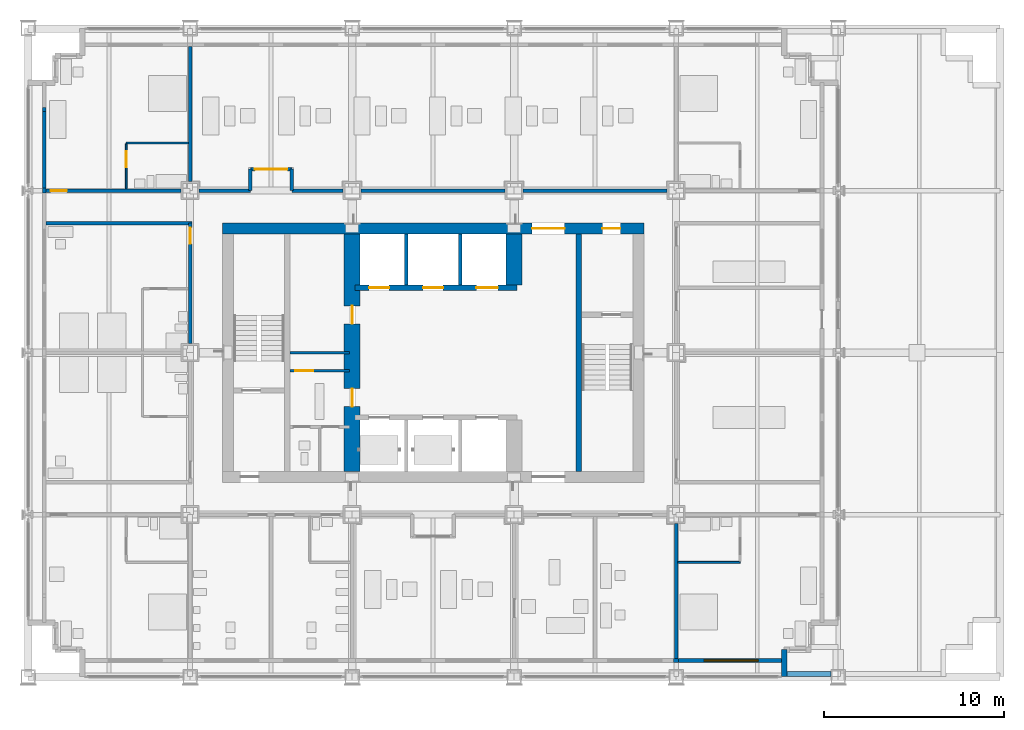
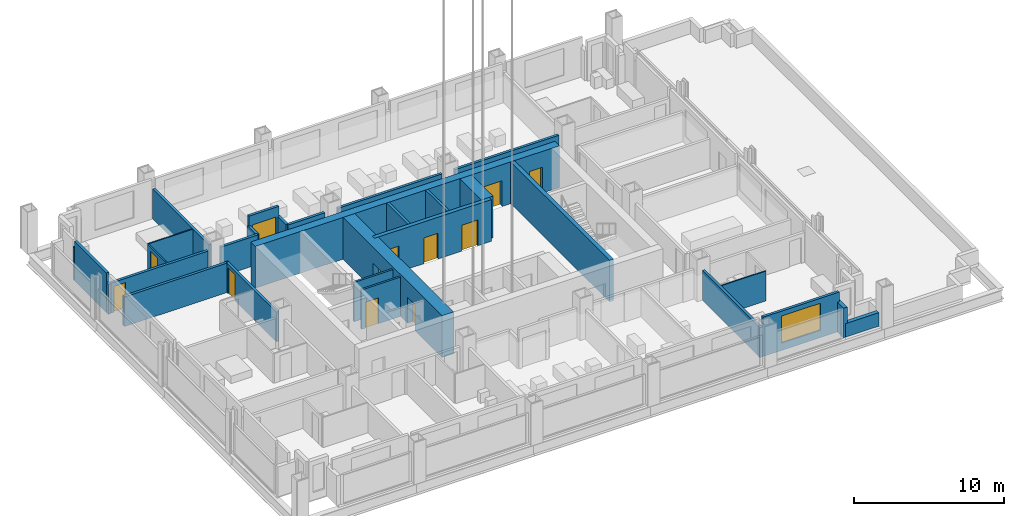
# One storey, part 12 of 19: 31 walls, 12 doors, 1 window, 13 openings.
"""IFC4 building model written with IfcOpenShell, lengths in metres."""

from ifc_helpers import new_model, si_unit, direction, frame, frame_2d, origin, place, context, subcontext, project, spatial, rectangle, extrude, material, layer, layer_set, type_object, element, fill, save


model = new_model("IFC4")

# Units and contexts
model_context = context("Model", 3, precision=1e-05, world=origin(), true_north=direction((0.0, 1.0)))
body_context = subcontext(model_context, "Body", "Model", "MODEL_VIEW")
ifc_project = project(units=[si_unit("LENGTHUNIT", "METRE"), si_unit("AREAUNIT", "SQUARE_METRE"), si_unit("VOLUMEUNIT", "CUBIC_METRE"), si_unit("PLANEANGLEUNIT", "RADIAN"), si_unit("MASSUNIT", "GRAM", prefix="KILO")], contexts=[model_context])

# Site, building, storey
site_placement = place(None, origin())
site = spatial("IfcSite", under=ifc_project, at=site_placement, CompositionType="ELEMENT")
building_placement = place(site_placement, origin())
building = spatial("IfcBuilding", under=site, at=building_placement, Name="Loomwork Tower", CompositionType="ELEMENT")
storey_placement = place(building_placement, frame((0.0, 0.0, 94.199951171875)))
storey = spatial("IfcBuildingStorey", under=building, at=storey_placement, Name="L24", CompositionType="ELEMENT", Elevation=94.199951171875)

# Wall, openings, doors
ifc_material_1 = material(Name="Concrete 14000 psi (97 MPa)", Category="concrete")
ifc_layer_1 = layer(ifc_material_1, 0.300048828125)
ifc_layer_set_1 = layer_set([ifc_layer_1], Name="Core shear wall 300")
wall_type_1 = type_object("IfcWallType", Name="Core shear wall 300", PredefinedType="SHEAR", material=ifc_layer_set_1)
wall_1_placement = place(storey_placement, frame((18.14990234375, 21.60009765625, 0.0), z_axis=(0.0, 0.0, 1.0), x_axis=(1.0, 0.0, 0.0)))
wall_1 = element("IfcWall", 1, at=wall_1_placement, inside=storey, type_object=wall_type_1, Name="Lift front wall north L24", PredefinedType="SHEAR", context=body_context, shape_type="SweptSolid", body=[
    extrude(rectangle(XDim=9.0, YDim=0.300048828125, at=frame_2d((4.5, 0.0))), origin(), (0.0, 0.0, 1.0), 3.400146484375),
])
opening_1_placement = place(wall_1_placement, frame((0.800048828125, 0.0, 0.0)))
opening_1 = element("IfcOpeningElement", 2, at=opening_1_placement, cuts=wall_1, Name="Opening LD1", PredefinedType="OPENING", context=body_context, shape_type="SweptSolid", body=[
    extrude(rectangle(XDim=1.10009765625, YDim=2.10009765625, at=frame_2d((0.550048828125, 1.050048828125))), frame((0.0, 0.159912109375, 0.0), z_axis=(0.0, -1.0, 0.0), x_axis=(1.0, 0.0, 0.0)), (0.0, 0.0, 1.0), 0.320068359375),
])
opening_2_placement = place(wall_1_placement, frame((3.800048828125, 0.0, 0.0)))
opening_2 = element("IfcOpeningElement", 3, at=opening_2_placement, cuts=wall_1, Name="Opening LD1", PredefinedType="OPENING", context=body_context, shape_type="SweptSolid", body=[
    extrude(rectangle(XDim=1.10009765625, YDim=2.10009765625, at=frame_2d((0.550048828125, 1.050048828125))), frame((0.0, 0.159912109375, 0.0), z_axis=(0.0, -1.0, 0.0), x_axis=(1.0, 0.0, 0.0)), (0.0, 0.0, 1.0), 0.320068359375),
])
opening_3_placement = place(wall_1_placement, frame((6.75, 0.0, 0.0)))
opening_3 = element("IfcOpeningElement", 4, at=opening_3_placement, cuts=wall_1, Name="Opening LD2", PredefinedType="OPENING", context=body_context, shape_type="SweptSolid", body=[
    extrude(rectangle(XDim=1.199951171875, YDim=2.10009765625, at=frame_2d((0.60009765625, 1.050048828125))), frame((0.0, 0.159912109375, 0.0), z_axis=(0.0, -1.0, 0.0), x_axis=(1.0, 0.0, 0.0)), (0.0, 0.0, 1.0), 0.320068359375),
])
ifc_material_2 = material(Name="Hollow metal door and frame")
door_type_1 = type_object("IfcDoorType", Name="Lift landing door 1100", OperationType="SLIDING_TO_LEFT", PredefinedType="DOOR", material=ifc_material_2)
door_1_placement = place(opening_1_placement, origin())
door_1 = element("IfcDoor", 5, at=door_1_placement, inside=storey, type_object=door_type_1, Name="Lift landing door LS1", OperationType="SLIDING_TO_LEFT", OverallHeight=2.10009765625, OverallWidth=1.10009765625, PredefinedType="DOOR", context=body_context, shape_type="SweptSolid", body=[
    extrude(rectangle(XDim=1.10009765625, YDim=2.10009765625, at=frame_2d((0.550048828125, 1.050048828125))), frame((0.0, 0.02490234375, 0.0), z_axis=(0.0, -1.0, 0.0), x_axis=(1.0, 0.0, 0.0)), (0.0, 0.0, 1.0), 0.050048828125),
])
fill(opening_1, door_1)
door_2_placement = place(opening_2_placement, origin())
door_2 = element("IfcDoor", 6, at=door_2_placement, inside=storey, type_object=door_type_1, Name="Lift landing door LS2", OperationType="SLIDING_TO_LEFT", OverallHeight=2.10009765625, OverallWidth=1.10009765625, PredefinedType="DOOR", context=body_context, shape_type="SweptSolid", body=[
    extrude(rectangle(XDim=1.10009765625, YDim=2.10009765625, at=frame_2d((0.550048828125, 1.050048828125))), frame((0.0, 0.02490234375, 0.0), z_axis=(0.0, -1.0, 0.0), x_axis=(1.0, 0.0, 0.0)), (0.0, 0.0, 1.0), 0.050048828125),
])
fill(opening_2, door_2)
ifc_material_3 = material(Name="Hollow metal door and frame")
door_type_2 = type_object("IfcDoorType", Name="Lift landing door 1200", OperationType="SLIDING_TO_LEFT", PredefinedType="DOOR", material=ifc_material_3)
door_3_placement = place(opening_3_placement, origin())
door_3 = element("IfcDoor", 7, at=door_3_placement, inside=storey, type_object=door_type_2, Name="Lift landing door LF2", OperationType="SLIDING_TO_LEFT", OverallHeight=2.10009765625, OverallWidth=1.199951171875, PredefinedType="DOOR", context=body_context, shape_type="SweptSolid", body=[
    extrude(rectangle(XDim=1.199951171875, YDim=2.10009765625, at=frame_2d((0.60009765625, 1.050048828125))), frame((0.0, 0.02490234375, 0.0), z_axis=(0.0, -1.0, 0.0), x_axis=(1.0, 0.0, 0.0)), (0.0, 0.0, 1.0), 0.050048828125),
])
fill(opening_3, door_3)

# Wall
wall_2_placement = place(storey_placement, frame((30.60009765625, 11.39990234375, 0.0), z_axis=(0.0, 0.0, 1.0), x_axis=(0.0, 1.0, 0.0)))
element("IfcWall", 8, at=wall_2_placement, inside=storey, type_object=wall_type_1, Name="Stair B west wall L24", PredefinedType="SHEAR", context=body_context, shape_type="SweptSolid", body=[
    extrude(rectangle(XDim=13.2001953125, YDim=0.300048828125, at=frame_2d((6.60009765625, 0.0))), origin(), (0.0, 0.0, 1.0), 3.400146484375),
])

# Wall, openings, doors
ifc_material_4 = material(Name="Concrete 14000 psi (97 MPa)", Category="concrete")
ifc_layer_2 = layer(ifc_material_4, 0.60009765625)
ifc_layer_set_2 = layer_set([ifc_layer_2], Name="Core shear wall 600")
wall_type_2 = type_object("IfcWallType", Name="Core shear wall 600", PredefinedType="SHEAR", material=ifc_layer_set_2)
wall_3_placement = place(storey_placement, frame((10.800048828125, 24.89990234375, 0.0), z_axis=(0.0, 0.0, 1.0), x_axis=(1.0, 0.0, 0.0)))
wall_3 = element("IfcWall", 9, at=wall_3_placement, inside=storey, type_object=wall_type_2, Name="Core wall north L24", PredefinedType="SHEAR", context=body_context, shape_type="SweptSolid", body=[
    extrude(rectangle(XDim=23.39990234375, YDim=0.60009765625, at=frame_2d((11.699951171875, 0.0))), origin(), (0.0, 0.0, 1.0), 3.400146484375),
])
opening_4_placement = place(wall_3_placement, frame((17.199951171875, 0.0, 0.0)))
opening_4 = element("IfcOpeningElement", 10, at=opening_4_placement, cuts=wall_3, Name="Opening D6", PredefinedType="OPENING", context=body_context, shape_type="SweptSolid", body=[
    extrude(rectangle(XDim=1.800048828125, YDim=2.10009765625, at=frame_2d((0.89990234375, 1.050048828125))), frame((0.0, 0.31005859375, 0.0), z_axis=(0.0, -1.0, 0.0), x_axis=(1.0, 0.0, 0.0)), (0.0, 0.0, 1.0), 0.6201171875),
])
opening_5_placement = place(wall_3_placement, frame((21.10009765625, 0.0, 0.0)))
opening_5 = element("IfcOpeningElement", 11, at=opening_5_placement, cuts=wall_3, Name="Opening D4", PredefinedType="OPENING", context=body_context, shape_type="SweptSolid", body=[
    extrude(rectangle(XDim=1.0, YDim=2.10009765625, at=frame_2d((0.5, 1.050048828125))), frame((0.0, 0.31005859375, 0.0), z_axis=(0.0, -1.0, 0.0), x_axis=(1.0, 0.0, 0.0)), (0.0, 0.0, 1.0), 0.6201171875),
])
ifc_material_5 = material(Name="Hollow metal door and frame")
door_type_3 = type_object("IfcDoorType", Name="Lobby passage double door 1800", OperationType="DOUBLE_DOOR_SINGLE_SWING", PredefinedType="DOOR", material=ifc_material_5)
door_4_placement = place(opening_4_placement, frame((1.800048828125, 0.0, 0.0), z_axis=(0.0, 0.0, 1.0), x_axis=(-1.0, 0.0, 0.0)))
door_4 = element("IfcDoor", 12, at=door_4_placement, inside=storey, type_object=door_type_3, Name="Lobby passage door north", OperationType="DOUBLE_DOOR_SINGLE_SWING", OverallHeight=2.10009765625, OverallWidth=1.800048828125, PredefinedType="DOOR", context=body_context, shape_type="SweptSolid", body=[
    extrude(rectangle(XDim=1.800048828125, YDim=2.10009765625, at=frame_2d((0.89990234375, 1.050048828125))), frame((0.0, 0.02490234375, 0.0), z_axis=(0.0, -1.0, 0.0), x_axis=(1.0, 0.0, 0.0)), (0.0, 0.0, 1.0), 0.050048828125),
])
fill(opening_4, door_4)
ifc_material_6 = material(Name="Hollow metal door and frame")
door_type_4 = type_object("IfcDoorType", Name="Stair door 1000", OperationType="SINGLE_SWING_RIGHT", PredefinedType="DOOR", material=ifc_material_6)
door_5_placement = place(opening_5_placement, frame((1.0, 0.0, 0.0), z_axis=(0.0, 0.0, 1.0), x_axis=(-1.0, 0.0, 0.0)))
door_5 = element("IfcDoor", 13, at=door_5_placement, inside=storey, type_object=door_type_4, Name="Stair B vestibule door", OperationType="SINGLE_SWING_LEFT", OverallHeight=2.10009765625, OverallWidth=1.0, PredefinedType="DOOR", context=body_context, shape_type="SweptSolid", body=[
    extrude(rectangle(XDim=1.0, YDim=2.10009765625, at=frame_2d((0.5, 1.050048828125))), frame((0.0, 0.02490234375, 0.0), z_axis=(0.0, -1.0, 0.0), x_axis=(1.0, 0.0, 0.0)), (0.0, 0.0, 1.0), 0.050048828125),
])
fill(opening_5, door_5)

ifc_material_7 = material(Name="Concrete 14000 psi (97 MPa)", Category="concrete")
ifc_layer_3 = layer(ifc_material_7, 0.89990234375)
ifc_layer_set_3 = layer_set([ifc_layer_3], Name="Core shear wall 900")
wall_type_3 = type_object("IfcWallType", Name="Core shear wall 900", PredefinedType="SHEAR", material=ifc_layer_set_3)
wall_4_placement = place(storey_placement, frame((18.0, 11.39990234375, 0.0), z_axis=(0.0, 0.0, 1.0), x_axis=(0.0, 1.0, 0.0)))
wall_4 = element("IfcWall", 14, at=wall_4_placement, inside=storey, type_object=wall_type_3, Name="Lobby west wall L24", PredefinedType="SHEAR", context=body_context, shape_type="SweptSolid", body=[
    extrude(rectangle(XDim=13.2001953125, YDim=0.89990234375, at=frame_2d((6.60009765625, 0.0))), origin(), (0.0, 0.0, 1.0), 3.400146484375),
])
opening_6_placement = place(wall_4_placement, frame((3.60009765625, 0.0, 0.0)))
opening_6 = element("IfcOpeningElement", 15, at=opening_6_placement, cuts=wall_4, Name="Opening D5", PredefinedType="OPENING", context=body_context, shape_type="SweptSolid", body=[
    extrude(rectangle(XDim=1.0, YDim=2.10009765625, at=frame_2d((0.5, 1.050048828125))), frame((0.0, 0.4599609375, 0.0), z_axis=(0.0, -1.0, 0.0), x_axis=(1.0, 0.0, 0.0)), (0.0, 0.0, 1.0), 0.919921875),
])
opening_7_placement = place(wall_4_placement, frame((8.199951171875, 0.0, 0.0)))
opening_7 = element("IfcOpeningElement", 16, at=opening_7_placement, cuts=wall_4, Name="Opening D5", PredefinedType="OPENING", context=body_context, shape_type="SweptSolid", body=[
    extrude(rectangle(XDim=1.0, YDim=2.10009765625, at=frame_2d((0.5, 1.050048828125))), frame((0.0, 0.4599609375, 0.0), z_axis=(0.0, -1.0, 0.0), x_axis=(1.0, 0.0, 0.0)), (0.0, 0.0, 1.0), 0.919921875),
])
ifc_material_8 = material(Name="Hollow metal door and frame")
door_type_5 = type_object("IfcDoorType", Name="Service door 1000", OperationType="SINGLE_SWING_LEFT", PredefinedType="DOOR", material=ifc_material_8)
door_6_placement = place(opening_6_placement, origin())
door_6 = element("IfcDoor", 17, at=door_6_placement, inside=storey, type_object=door_type_5, Name="Back-of-house door south", OperationType="SINGLE_SWING_LEFT", OverallHeight=2.10009765625, OverallWidth=1.0, PredefinedType="DOOR", context=body_context, shape_type="SweptSolid", body=[
    extrude(rectangle(XDim=1.0, YDim=2.10009765625, at=frame_2d((0.5, 1.050048828125))), frame((0.0, 0.02490234375, 0.0), z_axis=(0.0, -1.0, 0.0), x_axis=(1.0, 0.0, 0.0)), (0.0, 0.0, 1.0), 0.050048828125),
])
fill(opening_6, door_6)
door_7_placement = place(opening_7_placement, origin())
door_7 = element("IfcDoor", 18, at=door_7_placement, inside=storey, type_object=door_type_5, Name="Back-of-house door north", OperationType="SINGLE_SWING_RIGHT", OverallHeight=2.10009765625, OverallWidth=1.0, PredefinedType="DOOR", context=body_context, shape_type="SweptSolid", body=[
    extrude(rectangle(XDim=1.0, YDim=2.10009765625, at=frame_2d((0.5, 1.050048828125))), frame((0.0, 0.02490234375, 0.0), z_axis=(0.0, -1.0, 0.0), x_axis=(1.0, 0.0, 0.0)), (0.0, 0.0, 1.0), 0.050048828125),
])
fill(opening_7, door_7)

# Wall
wall_5_placement = place(storey_placement, frame((27.0, 21.75, 0.0), z_axis=(0.0, 0.0, 1.0), x_axis=(0.0, 1.0, 0.0)))
element("IfcWall", 19, at=wall_5_placement, inside=storey, type_object=wall_type_3, Name="Lift shaft end wall north L24", PredefinedType="SHEAR", context=body_context, shape_type="SweptSolid", body=[
    extrude(rectangle(XDim=2.85009765625, YDim=0.89990234375, at=frame_2d((1.425048828125, 0.0))), origin(), (0.0, 0.0, 1.0), 3.400146484375),
])

# Wall, opening, door
ifc_material_9 = material(Name="Gypsum board on steel studs, one-hour", Category="steel")
ifc_layer_4 = layer(ifc_material_9, 0.199951171875)
ifc_layer_set_4 = layer_set([ifc_layer_4], Name="Corridor wall 200")
wall_type_4 = type_object("IfcWallType", Name="Corridor wall 200", PredefinedType="PARTITIONING", material=ifc_layer_set_4)
wall_6_placement = place(storey_placement, frame((1.0, 27.0, 0.0), z_axis=(0.0, 0.0, 1.0), x_axis=(1.0, 0.0, 0.0)))
wall_6 = element("IfcWall", 20, at=wall_6_placement, inside=storey, type_object=wall_type_4, Name="North corridor wall 1", PredefinedType="PARTITIONING", context=body_context, shape_type="SweptSolid", body=[
    extrude(rectangle(XDim=7.5, YDim=0.199951171875, at=frame_2d((3.75, 0.0))), origin(), (0.0, 0.0, 1.0), 2.43798828125),
])
opening_8_placement = place(wall_6_placement, frame((0.25, 0.0, 0.0)))
opening_8 = element("IfcOpeningElement", 21, at=opening_8_placement, cuts=wall_6, Name="Opening D1", PredefinedType="OPENING", context=body_context, shape_type="SweptSolid", body=[
    extrude(rectangle(XDim=0.89990234375, YDim=2.10009765625, at=frame_2d((0.449951171875, 1.050048828125))), frame((0.0, 0.10986328125, 0.0), z_axis=(0.0, -1.0, 0.0), x_axis=(1.0, 0.0, 0.0)), (0.0, 0.0, 1.0), 0.219970703125),
])
ifc_material_10 = material(Name="Hollow metal door and frame")
door_type_6 = type_object("IfcDoorType", Name="Guest room entry door 900", OperationType="SINGLE_SWING_LEFT", PredefinedType="DOOR", material=ifc_material_10)
door_8_placement = place(opening_8_placement, origin())
door_8 = element("IfcDoor", 22, at=door_8_placement, inside=storey, type_object=door_type_6, Name="Guest room entry door L24 8", OperationType="SINGLE_SWING_LEFT", OverallHeight=2.10009765625, OverallWidth=0.89990234375, PredefinedType="DOOR", context=body_context, shape_type="SweptSolid", body=[
    extrude(rectangle(XDim=0.89990234375, YDim=2.10009765625, at=frame_2d((0.449951171875, 1.050048828125))), frame((0.0, 0.02490234375, 0.0), z_axis=(0.0, -1.0, 0.0), x_axis=(1.0, 0.0, 0.0)), (0.0, 0.0, 1.0), 0.050048828125),
])
fill(opening_8, door_8)

# Walls
wall_7_placement = place(storey_placement, frame((9.5, 27.0, 0.0), z_axis=(0.0, 0.0, 1.0), x_axis=(1.0, 0.0, 0.0)))
element("IfcWall", 23, at=wall_7_placement, inside=storey, type_object=wall_type_4, Name="North corridor wall 2", PredefinedType="PARTITIONING", context=body_context, shape_type="SweptSolid", body=[
    extrude(rectangle(XDim=2.85009765625, YDim=0.199951171875, at=frame_2d((1.425048828125, 0.0))), origin(), (0.0, 0.0, 1.0), 2.405029296875),
])
for number, where, z_axis, x_axis, name in (
    (24, (18.5, 27.0, 0.0), (0.0, 0.0, 1.0), (1.0, 0.0, 0.0), "North corridor wall 3"),
    (25, (27.5, 27.0, 0.0), (0.0, 0.0, 1.0), (1.0, 0.0, 0.0), "North corridor wall 4"),
):
    element("IfcWall", number, at=place(storey_placement, frame(where, z_axis=z_axis, x_axis=x_axis)), inside=storey, type_object=wall_type_4, Name=name, PredefinedType="PARTITIONING", context=body_context, shape_type="SweptSolid", body=[
        extrude(rectangle(XDim=8.0, YDim=0.199951171875, at=frame_2d((4.0, 0.0))), origin(), (0.0, 0.0, 1.0), 2.405029296875),
    ])

# Wall, opening, door
wall_8_placement = place(storey_placement, frame((9.0, 18.5, 0.0), z_axis=(0.0, 0.0, 1.0), x_axis=(0.0, 1.0, 0.0)))
wall_8 = element("IfcWall", 26, at=wall_8_placement, inside=storey, type_object=wall_type_4, Name="West corridor wall 2", PredefinedType="PARTITIONING", context=body_context, shape_type="SweptSolid", body=[
    extrude(rectangle(XDim=6.699951171875, YDim=0.199951171875, at=frame_2d((3.35009765625, 0.0))), origin(), (0.0, 0.0, 1.0), 2.405029296875),
])
opening_9_placement = place(wall_8_placement, frame((5.550048828125, 0.0, 0.0)))
opening_9 = element("IfcOpeningElement", 27, at=opening_9_placement, cuts=wall_8, Name="Opening D1", PredefinedType="OPENING", context=body_context, shape_type="SweptSolid", body=[
    extrude(rectangle(XDim=0.89990234375, YDim=2.10009765625, at=frame_2d((0.449951171875, 1.050048828125))), frame((0.0, 0.10986328125, 0.0), z_axis=(0.0, -1.0, 0.0), x_axis=(1.0, 0.0, 0.0)), (0.0, 0.0, 1.0), 0.219970703125),
])
door_9_placement = place(opening_9_placement, origin())
door_9 = element("IfcDoor", 28, at=door_9_placement, inside=storey, type_object=door_type_6, Name="Guest room entry door L24 12", OperationType="SINGLE_SWING_RIGHT", OverallHeight=2.10009765625, OverallWidth=0.89990234375, PredefinedType="DOOR", context=body_context, shape_type="SweptSolid", body=[
    extrude(rectangle(XDim=0.89990234375, YDim=2.10009765625, at=frame_2d((0.449951171875, 1.050048828125))), frame((0.0, 0.02490234375, 0.0), z_axis=(0.0, -1.0, 0.0), x_axis=(1.0, 0.0, 0.0)), (0.0, 0.0, 1.0), 0.050048828125),
])
fill(opening_9, door_9)

# Walls
wall_9_placement = place(storey_placement, frame((1.0, 25.199951171875, 0.0), z_axis=(0.0, 0.0, 1.0), x_axis=(1.0, 0.0, 0.0)))
element("IfcWall", 29, at=wall_9_placement, inside=storey, type_object=wall_type_4, Name="West band end wall N", PredefinedType="PARTITIONING", context=body_context, shape_type="SweptSolid", body=[
    extrude(rectangle(XDim=8.10009765625, YDim=0.199951171875, at=frame_2d((4.050048828125, 0.0))), origin(), (0.0, 0.0, 1.0), 2.404052734375),
])
wall_10_placement = place(storey_placement, frame((14.64990234375, 27.0, 0.0), z_axis=(0.0, 0.0, 1.0), x_axis=(1.0, 0.0, 0.0)))
element("IfcWall", 30, at=wall_10_placement, inside=storey, type_object=wall_type_4, Name="North corridor wall 2", PredefinedType="PARTITIONING", context=body_context, shape_type="SweptSolid", body=[
    extrude(rectangle(XDim=2.85009765625, YDim=0.199951171875, at=frame_2d((1.425048828125, 0.0))), origin(), (0.0, 0.0, 1.0), 2.405029296875),
])
for number, where, z_axis, x_axis, name in (
    (31, (12.35009765625, 27.0, 0.0), (0.0, 0.0, 1.0), (0.0, 1.0, 0.0), "Executive club lounge door L24 alcove wall"),
    (32, (14.64990234375, 27.0, 0.0), (0.0, 0.0, 1.0), (0.0, 1.0, 0.0), "Executive club lounge door L24 alcove wall"),
):
    element("IfcWall", number, at=place(storey_placement, frame(where, z_axis=z_axis, x_axis=x_axis)), inside=storey, type_object=wall_type_4, Name=name, PredefinedType="PARTITIONING", context=body_context, shape_type="SweptSolid", body=[
        extrude(rectangle(XDim=1.199951171875, YDim=0.199951171875, at=frame_2d((0.60009765625, 0.0))), origin(), (0.0, 0.0, 1.0), 2.404052734375),
    ])

# Wall, opening, door
wall_11_placement = place(storey_placement, frame((12.35009765625, 28.199951171875, 0.0), z_axis=(0.0, 0.0, 1.0), x_axis=(1.0, 0.0, 0.0)))
wall_11 = element("IfcWall", 33, at=wall_11_placement, inside=storey, type_object=wall_type_4, Name="Executive club lounge door L24 alcove wall", PredefinedType="PARTITIONING", context=body_context, shape_type="SweptSolid", body=[
    extrude(rectangle(XDim=2.2998046875, YDim=0.199951171875, at=frame_2d((1.14990234375, 0.0))), origin(), (0.0, 0.0, 1.0), 3.199951171875),
])
opening_10_placement = place(wall_11_placement, frame((0.25, 0.0, 0.0)))
opening_10 = element("IfcOpeningElement", 34, at=opening_10_placement, cuts=wall_11, Name="Opening D16", PredefinedType="OPENING", context=body_context, shape_type="SweptSolid", body=[
    extrude(rectangle(XDim=1.800048828125, YDim=2.39990234375, at=frame_2d((0.89990234375, 1.199951171875))), frame((0.0, 0.10986328125, 0.0), z_axis=(0.0, -1.0, 0.0), x_axis=(1.0, 0.0, 0.0)), (0.0, 0.0, 1.0), 0.219970703125),
])
ifc_material_11 = material(Name="Hollow metal door and frame")
door_type_7 = type_object("IfcDoorType", Name="Fire-rated double door 1800", OperationType="DOUBLE_DOOR_SINGLE_SWING", PredefinedType="DOOR", material=ifc_material_11)
door_10_placement = place(opening_10_placement, frame((1.800048828125, 0.0, 0.0), z_axis=(0.0, 0.0, 1.0), x_axis=(-1.0, 0.0, 0.0)))
door_10 = element("IfcDoor", 35, at=door_10_placement, inside=storey, type_object=door_type_7, Name="Executive club lounge door L24", OperationType="DOUBLE_DOOR_SINGLE_SWING", OverallHeight=2.39990234375, OverallWidth=1.800048828125, PredefinedType="DOOR", context=body_context, shape_type="SweptSolid", body=[
    extrude(rectangle(XDim=1.800048828125, YDim=2.39990234375, at=frame_2d((0.89990234375, 1.199951171875))), frame((0.0, 0.02490234375, 0.0), z_axis=(0.0, -1.0, 0.0), x_axis=(1.0, 0.0, 0.0)), (0.0, 0.0, 1.0), 0.050048828125),
])
fill(opening_10, door_10)

# Walls
ifc_material_12 = material(Name="Cement board on steel studs", Category="steel")
ifc_layer_5 = layer(ifc_material_12, 0.10009765625)
ifc_layer_set_5 = layer_set([ifc_layer_5], Name="En-suite partition 100")
wall_type_5 = type_object("IfcWallType", Name="En-suite partition 100", PredefinedType="PARTITIONING", material=ifc_layer_set_5)
for number, where, z_axis, x_axis, name in (
    (36, (36.10009765625, 6.35009765625, 0.0), (0.0, 0.0, 1.0), (1.0, 0.0, 0.0), "En-suite wall L24 room 7"),
    (37, (5.449951171875, 29.64990234375, 0.0), (0.0, 0.0, 1.0), (1.0, 0.0, 0.0), "En-suite wall L24 room 8"),
):
    element("IfcWall", number, at=place(storey_placement, frame(where, z_axis=z_axis, x_axis=x_axis)), inside=storey, type_object=wall_type_5, Name=name, PredefinedType="PARTITIONING", context=body_context, shape_type="SweptSolid", body=[
        extrude(rectangle(XDim=3.449951171875, YDim=0.10009765625, at=frame_2d((1.72509765625, 0.0))), origin(), (0.0, 0.0, 1.0), 2.43798828125),
    ])

# Wall, opening, door
wall_12_placement = place(storey_placement, frame((5.449951171875, 27.10009765625, 0.0), z_axis=(0.0, 0.0, 1.0), x_axis=(0.0, 1.0, 0.0)))
wall_12 = element("IfcWall", 38, at=wall_12_placement, inside=storey, type_object=wall_type_5, Name="En-suite side wall L24 room 8", PredefinedType="PARTITIONING", context=body_context, shape_type="SweptSolid", body=[
    extrude(rectangle(XDim=2.5, YDim=0.10009765625, at=frame_2d((1.25, 0.0))), origin(), (0.0, 0.0, 1.0), 2.43798828125),
])
opening_11_placement = place(wall_12_placement, frame((1.199951171875, 0.0, 0.0)))
opening_11 = element("IfcOpeningElement", 39, at=opening_11_placement, cuts=wall_12, Name="Opening D2", PredefinedType="OPENING", context=body_context, shape_type="SweptSolid", body=[
    extrude(rectangle(XDim=0.89990234375, YDim=2.10009765625, at=frame_2d((0.449951171875, 1.050048828125))), frame((0.0, 0.06005859375, 0.0), z_axis=(0.0, -1.0, 0.0), x_axis=(1.0, 0.0, 0.0)), (0.0, 0.0, 1.0), 0.1201171875),
])
ifc_material_13 = material(Name="Hollow metal door and frame")
door_type_8 = type_object("IfcDoorType", Name="En-suite door 900", OperationType="SINGLE_SWING_LEFT", PredefinedType="DOOR", material=ifc_material_13)
door_11_placement = place(opening_11_placement, frame((0.89990234375, 0.0, 0.0), z_axis=(0.0, 0.0, 1.0), x_axis=(-1.0, 0.0, 0.0)))
door_11 = element("IfcDoor", 40, at=door_11_placement, inside=storey, type_object=door_type_8, Name="En-suite door room 8", OperationType="SINGLE_SWING_LEFT", OverallHeight=2.10009765625, OverallWidth=0.89990234375, PredefinedType="DOOR", context=body_context, shape_type="SweptSolid", body=[
    extrude(rectangle(XDim=0.89990234375, YDim=2.10009765625, at=frame_2d((0.449951171875, 1.050048828125))), frame((0.0, 0.02490234375, 0.0), z_axis=(0.0, -1.0, 0.0), x_axis=(1.0, 0.0, 0.0)), (0.0, 0.0, 1.0), 0.050048828125),
])
fill(opening_11, door_11)

# Walls
ifc_material_14 = material(Name="Gypsum board on steel studs, acoustic", Category="steel")
ifc_layer_6 = layer(ifc_material_14, 0.199951171875)
ifc_layer_set_6 = layer_set([ifc_layer_6], Name="Guest room party wall 200")
wall_type_6 = type_object("IfcWallType", Name="Guest room party wall 200", PredefinedType="PARTITIONING", material=ifc_layer_set_6)
for number, where, z_axis, x_axis, name in (
    (41, (36.0, 8.5, 0.0), (0.0, 0.0, 1.0), (0.0, -1.0, 0.0), "Guest room party wall S 36"),
    (42, (9.0, 27.5, 0.0), (0.0, 0.0, 1.0), (0.0, 1.0, 0.0), "Guest room party wall N 9"),
):
    element("IfcWall", number, at=place(storey_placement, frame(where, z_axis=z_axis, x_axis=x_axis)), inside=storey, type_object=wall_type_6, Name=name, PredefinedType="PARTITIONING", context=body_context, shape_type="SweptSolid", body=[
        extrude(rectangle(XDim=7.5, YDim=0.199951171875, at=frame_2d((3.75, 0.0))), origin(), (0.0, 0.0, 1.0), 2.43798828125),
    ])
ifc_material_15 = material(Name="Insulated steel stud wall with gypsum lining", Category="steel")
ifc_layer_7 = layer(ifc_material_15, 0.199951171875)
ifc_layer_set_7 = layer_set([ifc_layer_7], Name="Inner skin wall 200")
wall_type_7 = type_object("IfcWallType", Name="Inner skin wall 200", PredefinedType="SOLIDWALL", material=ifc_layer_set_7)
wall_13_placement = place(storey_placement, frame((35.864501953125, 0.89990234375, 0.0), z_axis=(0.0, 0.0, 1.0), x_axis=(1.0, 0.0, 0.0)))
element("IfcWall", 43, at=wall_13_placement, inside=storey, type_object=wall_type_7, Name="Inner skin wall S bay 8", PredefinedType="SOLIDWALL", context=body_context, shape_type="SweptSolid", body=[
    extrude(rectangle(XDim=0.27099609375, YDim=0.199951171875, at=frame_2d((0.135498046875, 0.0))), origin(), (0.0, 0.0, 1.0), 2.43798828125),
])

# Wall, opening, window
wall_14_placement = place(storey_placement, frame((36.135498046875, 0.89990234375, 0.0), z_axis=(0.0, 0.0, 1.0), x_axis=(1.0, 0.0, 0.0)))
wall_14 = element("IfcWall", 44, at=wall_14_placement, inside=storey, type_object=wall_type_7, Name="Inner skin wall S bay 9", PredefinedType="SOLIDWALL", context=body_context, shape_type="SweptSolid", body=[
    extrude(rectangle(XDim=5.864501953125, YDim=0.199951171875, at=frame_2d((2.93212890625, 0.0))), origin(), (0.0, 0.0, 1.0), 3.199951171875),
])
opening_12_placement = place(wall_14_placement, frame((1.41455078125, 0.0, 0.60009765625)))
opening_12 = element("IfcOpeningElement", 45, at=opening_12_placement, cuts=wall_14, Name="Opening CH1", PredefinedType="OPENING", context=body_context, shape_type="SweptSolid", body=[
    extrude(rectangle(XDim=3.0, YDim=2.199951171875, at=frame_2d((1.5, 1.10009765625))), frame((0.0, 0.10986328125, 0.0), z_axis=(0.0, -1.0, 0.0), x_axis=(1.0, 0.0, 0.0)), (0.0, 0.0, 1.0), 0.219970703125),
])
ifc_material_16 = material(Name="Aluminium frame with clear insulated glass", Category="aluminium")
window_type = type_object("IfcWindowType", Name="Chicago window 3000", PartitioningType="TRIPLE_PANEL_VERTICAL", PredefinedType="WINDOW", material=ifc_material_16)
window_placement = place(opening_12_placement, origin())
window = element("IfcWindow", 46, at=window_placement, inside=storey, type_object=window_type, Name="Chicago window L24 bay 5", OverallHeight=2.199951171875, OverallWidth=3.0, PartitioningType="TRIPLE_PANEL_VERTICAL", PredefinedType="WINDOW", context=body_context, shape_type="SweptSolid", body=[
    extrude(rectangle(XDim=3.0, YDim=2.199951171875, at=frame_2d((1.5, 1.10009765625))), frame((0.0, 0.030029296875, 0.0), z_axis=(0.0, -1.0, 0.0), x_axis=(1.0, 0.0, 0.0)), (0.0, 0.0, 1.0), 0.06005859375),
])
fill(opening_12, window)

# Walls
wall_15_placement = place(storey_placement, frame((0.89990234375, 26.86474609375, 0.0), z_axis=(0.0, 0.0, 1.0), x_axis=(0.0, 1.0, 0.0)))
element("IfcWall", 47, at=wall_15_placement, inside=storey, type_object=wall_type_7, Name="Inner skin wall W bay 8", PredefinedType="SOLIDWALL", context=body_context, shape_type="SweptSolid", body=[
    extrude(rectangle(XDim=0.2705078125, YDim=0.199951171875, at=frame_2d((0.13525390625, 0.0))), origin(), (0.0, 0.0, 1.0), 2.43798828125),
])
wall_16_placement = place(storey_placement, frame((0.89990234375, 27.13525390625, 0.0), z_axis=(0.0, 0.0, 1.0), x_axis=(0.0, 1.0, 0.0)))
element("IfcWall", 48, at=wall_16_placement, inside=storey, type_object=wall_type_7, Name="Inner skin wall W bay 9", PredefinedType="SOLIDWALL", context=body_context, shape_type="SweptSolid", body=[
    extrude(rectangle(XDim=4.25732421875, YDim=0.199951171875, at=frame_2d((2.128662109375, 0.0))), origin(), (0.0, 0.0, 1.0), 3.199951171875),
])
wall_17_placement = place(storey_placement, frame((0.89990234375, 31.392578125, 0.0), z_axis=(0.0, 0.0, 1.0), x_axis=(0.0, 1.0, 0.0)))
element("IfcWall", 49, at=wall_17_placement, inside=storey, type_object=wall_type_7, Name="Inner skin wall W bay 10", PredefinedType="SOLIDWALL", context=body_context, shape_type="SweptSolid", body=[
    extrude(rectangle(XDim=0.21484375, YDim=0.199951171875, at=frame_2d((0.107421875, 0.0))), origin(), (0.0, 0.0, 1.0), 2.6611328125),
])
ifc_material_17 = material(Name="Concrete 14000 psi (97 MPa)", Category="concrete")
ifc_layer_8 = layer(ifc_material_17, 0.199951171875)
ifc_layer_set_8 = layer_set([ifc_layer_8], Name="Lift shaft wall 200")
wall_type_8 = type_object("IfcWallType", Name="Lift shaft wall 200", PredefinedType="SHEAR", material=ifc_layer_set_8)
for number, where, z_axis, x_axis, name in (
    (50, (21.0, 21.75, 0.0), (0.0, 0.0, 1.0), (0.0, 1.0, 0.0), "Lift shaft separation wall north 1 L24"),
    (51, (24.0, 21.75, 0.0), (0.0, 0.0, 1.0), (0.0, 1.0, 0.0), "Lift shaft separation wall north 2 L24"),
):
    element("IfcWall", number, at=place(storey_placement, frame(where, z_axis=z_axis, x_axis=x_axis)), inside=storey, type_object=wall_type_8, Name=name, PredefinedType="SHEAR", context=body_context, shape_type="SweptSolid", body=[
        extrude(rectangle(XDim=2.85009765625, YDim=0.199951171875, at=frame_2d((1.425048828125, 0.0))), origin(), (0.0, 0.0, 1.0), 3.400146484375),
    ])
ifc_material_18 = material(Name="Limestone on concrete masonry", Category="masonry")
ifc_layer_9 = layer(ifc_material_18, 0.300048828125)
ifc_layer_set_9 = layer_set([ifc_layer_9], Name="Limestone corner wall 300")
wall_type_9 = type_object("IfcWallType", Name="Limestone corner wall 300", PredefinedType="SOLIDWALL", material=ifc_layer_set_9)
wall_18_placement = place(storey_placement, frame((42.0, 0.0, 0.0), z_axis=(0.0, 0.0, 1.0), x_axis=(0.0, 1.0, 0.0)))
element("IfcWall", 52, at=wall_18_placement, inside=storey, type_object=wall_type_9, Name="Stone corner wall SE 1", PredefinedType="SOLIDWALL", context=body_context, shape_type="SweptSolid", body=[
    extrude(rectangle(XDim=1.5, YDim=0.300048828125, at=frame_2d((0.75, 0.0))), origin(), (0.0, 0.0, 1.0), 2.420166015625),
])
ifc_material_19 = material(Name="Limestone on concrete masonry", Category="masonry")
ifc_layer_10 = layer(ifc_material_19, 0.300048828125)
ifc_layer_set_10 = layer_set([ifc_layer_10], Name="Parapet wall 300")
wall_type_10 = type_object("IfcWallType", Name="Parapet wall 300", PredefinedType="PARAPET", material=ifc_layer_set_10)
wall_19_placement = place(storey_placement, frame((44.60009765625, 0.14990234375, 0.0), z_axis=(0.0, 0.0, 1.0), x_axis=(-1.0, 0.0, 0.0)))
element("IfcWall", 53, at=wall_19_placement, inside=storey, type_object=wall_type_10, Name="Parapet L24 1", PredefinedType="PARAPET", context=body_context, shape_type="SweptSolid", body=[
    extrude(rectangle(XDim=2.60009765625, YDim=0.300048828125, at=frame_2d((1.300048828125, 0.0))), origin(), (0.0, 0.0, 1.0), 1.10009765625),
])
ifc_material_20 = material(Name="Gypsum board on steel studs", Category="steel")
ifc_layer_11 = layer(ifc_material_20, 0.14990234375)
ifc_layer_set_11 = layer_set([ifc_layer_11], Name="Partition 150 two-hour")
wall_type_11 = type_object("IfcWallType", Name="Partition 150 two-hour", PredefinedType="PARTITIONING", material=ifc_layer_set_11)
wall_20_placement = place(storey_placement, frame((14.550048828125, 18.0, 0.0), z_axis=(0.0, 0.0, 1.0), x_axis=(1.0, 0.0, 0.0)))
element("IfcWall", 54, at=wall_20_placement, inside=storey, type_object=wall_type_11, Name="Back-of-house dividing wall L24", PredefinedType="PARTITIONING", context=body_context, shape_type="SweptSolid", body=[
    extrude(rectangle(XDim=3.300048828125, YDim=0.14990234375, at=frame_2d((1.64990234375, 0.0))), origin(), (0.0, 0.0, 1.0), 3.199951171875),
])

# Wall, opening, door
ifc_material_21 = material(Name="Gypsum board on steel studs, one-hour", Category="steel")
ifc_layer_12 = layer(ifc_material_21, 0.14990234375)
ifc_layer_set_12 = layer_set([ifc_layer_12], Name="Service partition 150")
wall_type_12 = type_object("IfcWallType", Name="Service partition 150", PredefinedType="PARTITIONING", material=ifc_layer_set_12)
wall_21_placement = place(storey_placement, frame((14.550048828125, 17.0, 0.0), z_axis=(0.0, 0.0, 1.0), x_axis=(1.0, 0.0, 0.0)))
wall_21 = element("IfcWall", 55, at=wall_21_placement, inside=storey, type_object=wall_type_12, Name="Riser enclosure L24", PredefinedType="PARTITIONING", context=body_context, shape_type="SweptSolid", body=[
    extrude(rectangle(XDim=3.300048828125, YDim=0.14990234375, at=frame_2d((1.64990234375, 0.0))), origin(), (0.0, 0.0, 1.0), 3.199951171875),
])
opening_13_placement = place(wall_21_placement, frame((0.300048828125, 0.0, 0.0)))
opening_13 = element("IfcOpeningElement", 56, at=opening_13_placement, cuts=wall_21, Name="Opening D18", PredefinedType="OPENING", context=body_context, shape_type="SweptSolid", body=[
    extrude(rectangle(XDim=1.0, YDim=2.10009765625, at=frame_2d((0.5, 1.050048828125))), frame((0.0, 0.0849609375, 0.0), z_axis=(0.0, -1.0, 0.0), x_axis=(1.0, 0.0, 0.0)), (0.0, 0.0, 1.0), 0.169921875),
])
ifc_material_22 = material(Name="Hollow metal door and frame")
door_type_9 = type_object("IfcDoorType", Name="Ninety-minute service door 1000", OperationType="SINGLE_SWING_LEFT", PredefinedType="DOOR", material=ifc_material_22)
door_12_placement = place(opening_13_placement, frame((1.0, 0.0, 0.0), z_axis=(0.0, 0.0, 1.0), x_axis=(-1.0, 0.0, 0.0)))
door_12 = element("IfcDoor", 57, at=door_12_placement, inside=storey, type_object=door_type_9, Name="Riser access door", OperationType="SINGLE_SWING_RIGHT", OverallHeight=2.10009765625, OverallWidth=1.0, PredefinedType="DOOR", context=body_context, shape_type="SweptSolid", body=[
    extrude(rectangle(XDim=1.0, YDim=2.10009765625, at=frame_2d((0.5, 1.050048828125))), frame((0.0, 0.02490234375, 0.0), z_axis=(0.0, -1.0, 0.0), x_axis=(1.0, 0.0, 0.0)), (0.0, 0.0, 1.0), 0.050048828125),
])
fill(opening_13, door_12)

save(model, "model.ifc")
